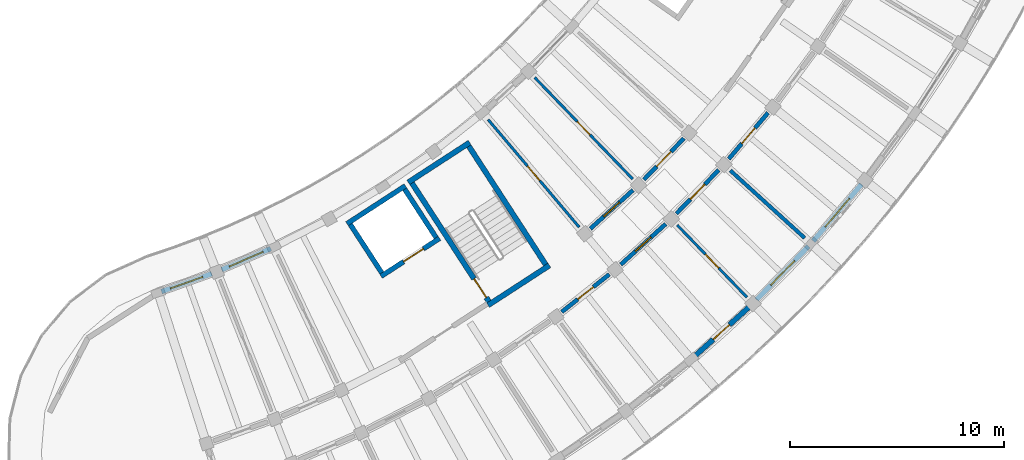
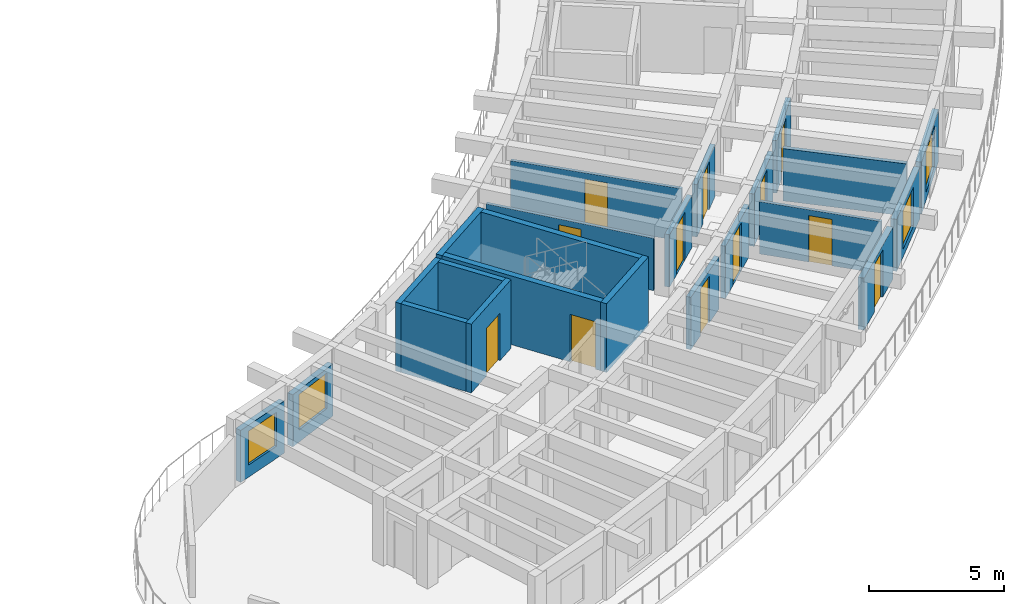
# One storey, part 49 of 78: 23 walls, 12 doors, 4 windows, 16 openings.
"""IFC4 building model written with IfcOpenShell, lengths in metres."""

from ifc_helpers import new_model, si_unit, direction, frame, frame_2d, origin, place, context, subcontext, project, spatial, rectangle, extrude, material, layer, layer_set, type_object, element, fill, save


model = new_model("IFC4")

# Units and contexts
model_context = context("Model", 3, precision=1e-05, world=origin(), true_north=direction((0.0, 1.0)))
body_context = subcontext(model_context, "Body", "Model", "MODEL_VIEW")
ifc_project = project(units=[si_unit("LENGTHUNIT", "METRE"), si_unit("AREAUNIT", "SQUARE_METRE"), si_unit("VOLUMEUNIT", "CUBIC_METRE"), si_unit("PLANEANGLEUNIT", "RADIAN"), si_unit("MASSUNIT", "GRAM", prefix="KILO")], contexts=[model_context])

# Site, building, storey
site_placement = place(None, origin())
site = spatial("IfcSite", under=ifc_project, at=site_placement, CompositionType="ELEMENT")
building_placement = place(site_placement, origin())
building = spatial("IfcBuilding", under=site, at=building_placement, Name="Tanwirah Colonnade Gardens", CompositionType="ELEMENT")
storey_placement = place(building_placement, frame((0.0, 0.0, 22.280029296875)))
storey = spatial("IfcBuildingStorey", under=building, at=storey_placement, Name="L06", CompositionType="ELEMENT", Elevation=22.280029296875)

# Wall, opening, window
ifc_material_1 = material(Name="Limestone architectural precast concrete C40/50", Category="masonry")
ifc_layer_1 = layer(ifc_material_1, 0.239990234375)
ifc_layer_set_1 = layer_set([ifc_layer_1], Name="Limestone architectural precast concrete C40/50")
wall_type_1 = type_object("IfcWallType", Name="EW-PC240", PredefinedType="SOLIDWALL", material=ifc_layer_set_1)
wall_1_placement = place(storey_placement, frame((134.701904296875, 22.2197265625, 0.0), z_axis=(0.0, 0.0, 1.0), x_axis=(0.941892135469, 0.33591547321, 0.0)))
wall_1 = element("IfcWall", 1, at=wall_1_placement, inside=storey, type_object=wall_type_1, Name="Block D L06 IN Precast Facade Wall 1", PredefinedType="SOLIDWALL", context=body_context, shape_type="SweptSolid", body=[
    extrude(rectangle(XDim=2.498779296875, YDim=0.239990234375, at=frame_2d((1.24951171875, 0.0))), origin(), (0.0, 0.0, 1.0), 2.35498046875),
])
opening_1_placement = place(wall_1_placement, frame((0.449462890625, 0.0, 0.550048828125)))
opening_1 = element("IfcOpeningElement", 2, at=opening_1_placement, cuts=wall_1, Name="Opening WIN-U12", PredefinedType="OPENING", context=body_context, shape_type="SweptSolid", body=[
    extrude(rectangle(XDim=1.60009765625, YDim=1.534912109375, at=frame_2d((0.800048828125, 0.767578125))), frame((0.0, 0.1298828125, 0.0), z_axis=(0.0, -1.0, 0.0), x_axis=(1.0, 0.0, 0.0)), (0.0, 0.0, 1.0), 0.260009765625),
])
ifc_material_2 = material(Name="Thermally broken bronze aluminium and solar low-E double glazing", Category="aluminium")
window_type_1 = type_object("IfcWindowType", Name="WIN-U12", PartitioningType="DOUBLE_PANEL_VERTICAL", PredefinedType="WINDOW", material=ifc_material_2)
window_1_placement = place(opening_1_placement, origin())
window_1 = element("IfcWindow", 3, at=window_1_placement, inside=storey, type_object=window_type_1, Name="Facade window D-L06-IN-01", OverallHeight=1.534912109375, OverallWidth=1.60009765625, PartitioningType="SINGLE_PANEL", PredefinedType="WINDOW", context=body_context, shape_type="SweptSolid", body=[
    extrude(rectangle(XDim=1.60009765625, YDim=1.534912109375, at=frame_2d((0.800048828125, 0.767578125))), frame((0.0, 0.030029296875, 0.0), z_axis=(0.0, -1.0, 0.0), x_axis=(1.0, 0.0, 0.0)), (0.0, 0.0, 1.0), 0.06005859375),
])
fill(opening_1, window_1)

wall_2_placement = place(storey_placement, frame((137.5205078125, 23.2421875, 0.0), z_axis=(0.0, 0.0, 1.0), x_axis=(0.91795321239, 0.396688668686, 0.0)))
wall_2 = element("IfcWall", 4, at=wall_2_placement, inside=storey, type_object=wall_type_1, Name="Block D L06 IN Precast Facade Wall 2", PredefinedType="SOLIDWALL", context=body_context, shape_type="SweptSolid", body=[
    extrude(rectangle(XDim=2.498779296875, YDim=0.239990234375, at=frame_2d((1.24951171875, 0.0))), origin(), (0.0, 0.0, 1.0), 2.35498046875),
])
opening_2_placement = place(wall_2_placement, frame((0.389404296875, 0.0, 0.550048828125)))
opening_2 = element("IfcOpeningElement", 5, at=opening_2_placement, cuts=wall_2, Name="Opening WIN-U15", PredefinedType="OPENING", context=body_context, shape_type="SweptSolid", body=[
    extrude(rectangle(XDim=1.719970703125, YDim=1.610107421875, at=frame_2d((0.85986328125, 0.80517578125))), frame((0.0, 0.1298828125, 0.0), z_axis=(0.0, -1.0, 0.0), x_axis=(1.0, 0.0, 0.0)), (0.0, 0.0, 1.0), 0.260009765625),
])
window_type_2 = type_object("IfcWindowType", Name="WIN-U15", PartitioningType="DOUBLE_PANEL_VERTICAL", PredefinedType="WINDOW", material=ifc_material_2)
window_2_placement = place(opening_2_placement, origin())
window_2 = element("IfcWindow", 6, at=window_2_placement, inside=storey, type_object=window_type_2, Name="Facade window D-L06-IN-02", OverallHeight=1.610107421875, OverallWidth=1.719970703125, PartitioningType="SINGLE_PANEL", PredefinedType="WINDOW", context=body_context, shape_type="SweptSolid", body=[
    extrude(rectangle(XDim=1.719970703125, YDim=1.610107421875, at=frame_2d((0.85986328125, 0.80517578125))), frame((0.0, 0.030029296875, 0.0), z_axis=(0.0, -1.0, 0.0), x_axis=(1.0, 0.0, 0.0)), (0.0, 0.0, 1.0), 0.06005859375),
])
fill(opening_2, window_2)

# Wall, opening, door
wall_3_placement = place(storey_placement, frame((159.595458984375, 19.15673828125, 0.0), z_axis=(0.0, 0.0, 1.0), x_axis=(0.741648568445, 0.670788641022, 0.0)))
wall_3 = element("IfcWall", 7, at=wall_3_placement, inside=storey, type_object=wall_type_1, Name="Block D L06 OUT Precast Facade Wall 7", PredefinedType="SOLIDWALL", context=body_context, shape_type="SweptSolid", body=[
    extrude(rectangle(XDim=3.48681640625, YDim=0.239990234375, at=frame_2d((1.743408203125, 0.0))), origin(), (0.0, 0.0, 1.0), 2.35498046875),
])
opening_3_placement = place(wall_3_placement, frame((1.2333984375, 0.0, 0.0)))
opening_3 = element("IfcOpeningElement", 8, at=opening_3_placement, cuts=wall_3, Name="Opening L06-ED205", PredefinedType="OPENING", context=body_context, shape_type="SweptSolid", body=[
    extrude(rectangle(XDim=1.02001953125, YDim=2.139892578125, at=frame_2d((0.510009765625, 1.06982421875))), frame((0.0, 0.1298828125, 0.0), z_axis=(0.0, -1.0, 0.0), x_axis=(1.0, 0.0, 0.0)), (0.0, 0.0, 1.0), 0.260009765625),
])
ifc_material_3 = material(Name="Bronze aluminium glazed balcony door", Category="aluminium")
door_type_1 = type_object("IfcDoorType", Name="ED-BAL102", OperationType="NOTDEFINED", PredefinedType="DOOR", material=ifc_material_3)
door_1_placement = place(opening_3_placement, origin())
door_1 = element("IfcDoor", 9, at=door_1_placement, inside=storey, type_object=door_type_1, Name="Balcony glazed door L06-ED205", OperationType="SINGLE_SWING_RIGHT", OverallHeight=2.139892578125, OverallWidth=1.02001953125, PredefinedType="DOOR", context=body_context, shape_type="SweptSolid", body=[
    extrude(rectangle(XDim=1.02001953125, YDim=2.139892578125, at=frame_2d((0.510009765625, 1.06982421875))), frame((0.0, 0.02490234375, 0.0), z_axis=(0.0, -1.0, 0.0), x_axis=(1.0, 0.0, 0.0)), (0.0, 0.0, 1.0), 0.050048828125),
])
fill(opening_3, door_1)

# Wall, opening, window
wall_4_placement = place(storey_placement, frame((162.541015625, 21.8427734375, 0.0), z_axis=(0.0, 0.0, 1.0), x_axis=(0.696205978342, 0.717842068788, 0.0)))
wall_4 = element("IfcWall", 10, at=wall_4_placement, inside=storey, type_object=wall_type_1, Name="Block D L06 OUT Precast Facade Wall 8", PredefinedType="SOLIDWALL", context=body_context, shape_type="SweptSolid", body=[
    extrude(rectangle(XDim=3.48681640625, YDim=0.239990234375, at=frame_2d((1.743408203125, 0.0))), origin(), (0.0, 0.0, 1.0), 2.35498046875),
])
opening_4_placement = place(wall_4_placement, frame((0.943359375, 0.0, 0.35009765625)))
opening_4 = element("IfcOpeningElement", 11, at=opening_4_placement, cuts=wall_4, Name="Opening WIN-T10", PredefinedType="OPENING", context=body_context, shape_type="SweptSolid", body=[
    extrude(rectangle(XDim=1.60009765625, YDim=1.75, at=frame_2d((0.800048828125, 0.875))), frame((0.0, 0.1298828125, 0.0), z_axis=(0.0, -1.0, 0.0), x_axis=(1.0, 0.0, 0.0)), (0.0, 0.0, 1.0), 0.260009765625),
])
window_type_3 = type_object("IfcWindowType", Name="WIN-T10", PartitioningType="DOUBLE_PANEL_VERTICAL", PredefinedType="WINDOW", material=ifc_material_2)
window_3_placement = place(opening_4_placement, origin())
window_3 = element("IfcWindow", 12, at=window_3_placement, inside=storey, type_object=window_type_3, Name="Facade window D-L06-OUT-08", OverallHeight=1.75, OverallWidth=1.60009765625, PartitioningType="SINGLE_PANEL", PredefinedType="WINDOW", context=body_context, shape_type="SweptSolid", body=[
    extrude(rectangle(XDim=1.60009765625, YDim=1.75, at=frame_2d((0.800048828125, 0.875))), frame((0.0, 0.030029296875, 0.0), z_axis=(0.0, -1.0, 0.0), x_axis=(1.0, 0.0, 0.0)), (0.0, 0.0, 1.0), 0.06005859375),
])
fill(opening_4, window_3)

wall_5_placement = place(storey_placement, frame((165.18359375, 24.58251953125, 0.0), z_axis=(0.0, 0.0, 1.0), x_axis=(0.647811002696, 0.761801092665, 0.0)))
wall_5 = element("IfcWall", 13, at=wall_5_placement, inside=storey, type_object=wall_type_1, Name="Block D L06 OUT Precast Facade Wall 9", PredefinedType="SOLIDWALL", context=body_context, shape_type="SweptSolid", body=[
    extrude(rectangle(XDim=3.48681640625, YDim=0.239990234375, at=frame_2d((1.743408203125, 0.0))), origin(), (0.0, 0.0, 1.0), 2.35498046875),
])
opening_5_placement = place(wall_5_placement, frame((0.868408203125, 0.0, 0.35009765625)))
opening_5 = element("IfcOpeningElement", 14, at=opening_5_placement, cuts=wall_5, Name="Opening WIN-T13", PredefinedType="OPENING", context=body_context, shape_type="SweptSolid", body=[
    extrude(rectangle(XDim=1.75, YDim=1.85009765625, at=frame_2d((0.875, 0.925048828125))), frame((0.0, 0.1298828125, 0.0), z_axis=(0.0, -1.0, 0.0), x_axis=(1.0, 0.0, 0.0)), (0.0, 0.0, 1.0), 0.260009765625),
])
window_type_4 = type_object("IfcWindowType", Name="WIN-T13", PartitioningType="TRIPLE_PANEL_VERTICAL", PredefinedType="WINDOW", material=ifc_material_2)
window_4_placement = place(opening_5_placement, origin())
window_4 = element("IfcWindow", 15, at=window_4_placement, inside=storey, type_object=window_type_4, Name="Facade window D-L06-OUT-09", OverallHeight=1.85009765625, OverallWidth=1.75, PartitioningType="SINGLE_PANEL", PredefinedType="WINDOW", context=body_context, shape_type="SweptSolid", body=[
    extrude(rectangle(XDim=1.75, YDim=1.85009765625, at=frame_2d((0.875, 0.925048828125))), frame((0.0, 0.030029296875, 0.0), z_axis=(0.0, -1.0, 0.0), x_axis=(1.0, 0.0, 0.0)), (0.0, 0.0, 1.0), 0.06005859375),
])
fill(opening_5, window_4)

# Wall, opening, door
ifc_material_4 = material(Name="Precast concrete C40/50", Category="concrete")
ifc_layer_2 = layer(ifc_material_4, 0.195068359375)
ifc_layer_set_2 = layer_set([ifc_layer_2], Name="Precast concrete C40/50")
wall_type_2 = type_object("IfcWallType", Name="IW-CORR195", PredefinedType="PARTITIONING", material=ifc_layer_set_2)
wall_6_placement = place(storey_placement, frame((153.424560546875, 21.268798828125, 0.0), z_axis=(0.0, 0.0, 1.0), x_axis=(0.783965548427, 0.620804332201, 0.0)))
wall_6 = element("IfcWall", 16, at=wall_6_placement, inside=storey, type_object=wall_type_2, Name="Block D L06 OUT Corridor Wall 6", PredefinedType="PARTITIONING", context=body_context, shape_type="SweptSolid", body=[
    extrude(rectangle(XDim=2.8369140625, YDim=0.195068359375, at=frame_2d((1.41845703125, 0.0))), origin(), (0.0, 0.0, 1.0), 2.369873046875),
])
opening_6_placement = place(wall_6_placement, frame((0.95361328125, 0.0, 0.0)))
opening_6 = element("IfcOpeningElement", 17, at=opening_6_placement, cuts=wall_6, Name="Opening L06-AD1879", PredefinedType="OPENING", context=body_context, shape_type="SweptSolid", body=[
    extrude(rectangle(XDim=0.929931640625, YDim=2.1201171875, at=frame_2d((0.46484375, 1.06005859375))), frame((0.0, 0.107421875, 0.0), z_axis=(0.0, -1.0, 0.0), x_axis=(1.0, 0.0, 0.0)), (0.0, 0.0, 1.0), 0.215087890625),
])
ifc_material_5 = material(Name="Solid oak fire-resisting apartment entrance door")
door_type_2 = type_object("IfcDoorType", Name="ID-FLT093", OperationType="NOTDEFINED", PredefinedType="DOOR", material=ifc_material_5)
door_2_placement = place(opening_6_placement, origin())
door_2 = element("IfcDoor", 18, at=door_2_placement, inside=storey, type_object=door_type_2, Name="Apartment corridor door L06-AD1879", OperationType="SINGLE_SWING_LEFT", OverallHeight=2.1201171875, OverallWidth=0.929931640625, PredefinedType="DOOR", context=body_context, shape_type="SweptSolid", body=[
    extrude(rectangle(XDim=0.929931640625, YDim=2.1201171875, at=frame_2d((0.46484375, 1.06005859375))), frame((0.0, 0.02490234375, 0.0), z_axis=(0.0, -1.0, 0.0), x_axis=(1.0, 0.0, 0.0)), (0.0, 0.0, 1.0), 0.050048828125),
])
fill(opening_6, door_2)

wall_7_placement = place(storey_placement, frame((156.1826171875, 23.48193359375, 0.0), z_axis=(0.0, 0.0, 1.0), x_axis=(0.741631592147, 0.670807410163, 0.0)))
wall_7 = element("IfcWall", 19, at=wall_7_placement, inside=storey, type_object=wall_type_2, Name="Block D L06 OUT Corridor Wall 7", PredefinedType="PARTITIONING", context=body_context, shape_type="SweptSolid", body=[
    extrude(rectangle(XDim=2.8369140625, YDim=0.195068359375, at=frame_2d((1.41845703125, 0.0))), origin(), (0.0, 0.0, 1.0), 2.369873046875),
])
opening_7_placement = place(wall_7_placement, frame((0.923583984375, 0.0, 0.0)))
opening_7 = element("IfcOpeningElement", 20, at=opening_7_placement, cuts=wall_7, Name="Opening L06-AD1881", PredefinedType="OPENING", context=body_context, shape_type="SweptSolid", body=[
    extrude(rectangle(XDim=0.989990234375, YDim=2.159912109375, at=frame_2d((0.4951171875, 1.080078125))), frame((0.0, 0.107421875, 0.0), z_axis=(0.0, -1.0, 0.0), x_axis=(1.0, 0.0, 0.0)), (0.0, 0.0, 1.0), 0.215087890625),
])
door_type_3 = type_object("IfcDoorType", Name="ID-FLT099", OperationType="NOTDEFINED", PredefinedType="DOOR", material=ifc_material_5)
door_3_placement = place(opening_7_placement, origin())
door_3 = element("IfcDoor", 21, at=door_3_placement, inside=storey, type_object=door_type_3, Name="Apartment corridor door L06-AD1881", OperationType="SINGLE_SWING_RIGHT", OverallHeight=2.159912109375, OverallWidth=0.989990234375, PredefinedType="DOOR", context=body_context, shape_type="SweptSolid", body=[
    extrude(rectangle(XDim=0.989990234375, YDim=2.159912109375, at=frame_2d((0.4951171875, 1.080078125))), frame((0.0, 0.02490234375, 0.0), z_axis=(0.0, -1.0, 0.0), x_axis=(1.0, 0.0, 0.0)), (0.0, 0.0, 1.0), 0.050048828125),
])
fill(opening_7, door_3)

wall_8_placement = place(storey_placement, frame((154.76123046875, 25.1611328125, 0.0), z_axis=(0.0, 0.0, 1.0), x_axis=(0.74166462946, 0.670770882945, 0.0)))
wall_8 = element("IfcWall", 22, at=wall_8_placement, inside=storey, type_object=wall_type_2, Name="Block D L06 IN Corridor Wall 7", PredefinedType="PARTITIONING", context=body_context, shape_type="SweptSolid", body=[
    extrude(rectangle(XDim=2.693115234375, YDim=0.195068359375, at=frame_2d((1.3466796875, 0.0))), origin(), (0.0, 0.0, 1.0), 2.369873046875),
])
opening_8_placement = place(wall_8_placement, frame((0.8515625, 0.0, 0.0)))
opening_8 = element("IfcOpeningElement", 23, at=opening_8_placement, cuts=wall_8, Name="Opening L06-AD1882", PredefinedType="OPENING", context=body_context, shape_type="SweptSolid", body=[
    extrude(rectangle(XDim=0.989990234375, YDim=2.159912109375, at=frame_2d((0.4951171875, 1.080078125))), frame((0.0, 0.107421875, 0.0), z_axis=(0.0, -1.0, 0.0), x_axis=(1.0, 0.0, 0.0)), (0.0, 0.0, 1.0), 0.215087890625),
])
door_4_placement = place(opening_8_placement, origin())
door_4 = element("IfcDoor", 24, at=door_4_placement, inside=storey, type_object=door_type_3, Name="Apartment corridor door L06-AD1882", OperationType="SINGLE_SWING_LEFT", OverallHeight=2.159912109375, OverallWidth=0.989990234375, PredefinedType="DOOR", context=body_context, shape_type="SweptSolid", body=[
    extrude(rectangle(XDim=0.989990234375, YDim=2.159912109375, at=frame_2d((0.4951171875, 1.080078125))), frame((0.0, 0.02490234375, 0.0), z_axis=(0.0, -1.0, 0.0), x_axis=(1.0, 0.0, 0.0)), (0.0, 0.0, 1.0), 0.050048828125),
])
fill(opening_8, door_4)

wall_9_placement = place(storey_placement, frame((158.7900390625, 25.870849609375, 0.0), z_axis=(0.0, 0.0, 1.0), x_axis=(0.696223786753, 0.717824796701, 0.0)))
wall_9 = element("IfcWall", 25, at=wall_9_placement, inside=storey, type_object=wall_type_2, Name="Block D L06 OUT Corridor Wall 8", PredefinedType="PARTITIONING", context=body_context, shape_type="SweptSolid", body=[
    extrude(rectangle(XDim=2.8369140625, YDim=0.195068359375, at=frame_2d((1.41845703125, 0.0))), origin(), (0.0, 0.0, 1.0), 2.369873046875),
])
opening_9_placement = place(wall_9_placement, frame((0.93359375, 0.0, 0.0)))
opening_9 = element("IfcOpeningElement", 26, at=opening_9_placement, cuts=wall_9, Name="Opening L06-AD1885", PredefinedType="OPENING", context=body_context, shape_type="SweptSolid", body=[
    extrude(rectangle(XDim=0.969970703125, YDim=2.14990234375, at=frame_2d((0.48486328125, 1.074951171875))), frame((0.0, 0.107421875, 0.0), z_axis=(0.0, -1.0, 0.0), x_axis=(1.0, 0.0, 0.0)), (0.0, 0.0, 1.0), 0.215087890625),
])
door_type_4 = type_object("IfcDoorType", Name="ID-FLT097", OperationType="NOTDEFINED", PredefinedType="DOOR", material=ifc_material_5)
door_5_placement = place(opening_9_placement, origin())
door_5 = element("IfcDoor", 27, at=door_5_placement, inside=storey, type_object=door_type_4, Name="Apartment corridor door L06-AD1885", OperationType="SINGLE_SWING_LEFT", OverallHeight=2.14990234375, OverallWidth=0.969970703125, PredefinedType="DOOR", context=body_context, shape_type="SweptSolid", body=[
    extrude(rectangle(XDim=0.969970703125, YDim=2.14990234375, at=frame_2d((0.48486328125, 1.074951171875))), frame((0.0, 0.02490234375, 0.0), z_axis=(0.0, -1.0, 0.0), x_axis=(1.0, 0.0, 0.0)), (0.0, 0.0, 1.0), 0.050048828125),
])
fill(opening_9, door_5)

wall_10_placement = place(storey_placement, frame((157.26171875, 27.453369140625, 0.0), z_axis=(0.0, 0.0, 1.0), x_axis=(0.696236443412, 0.717812520694, 0.0)))
wall_10 = element("IfcWall", 28, at=wall_10_placement, inside=storey, type_object=wall_type_2, Name="Block D L06 IN Corridor Wall 8", PredefinedType="PARTITIONING", context=body_context, shape_type="SweptSolid", body=[
    extrude(rectangle(XDim=2.693115234375, YDim=0.195068359375, at=frame_2d((1.3466796875, 0.0))), origin(), (0.0, 0.0, 1.0), 2.369873046875),
])
opening_10_placement = place(wall_10_placement, frame((0.861572265625, 0.0, 0.0)))
opening_10 = element("IfcOpeningElement", 29, at=opening_10_placement, cuts=wall_10, Name="Opening L06-AD1886", PredefinedType="OPENING", context=body_context, shape_type="SweptSolid", body=[
    extrude(rectangle(XDim=0.969970703125, YDim=2.14990234375, at=frame_2d((0.48486328125, 1.074951171875))), frame((0.0, 0.107421875, 0.0), z_axis=(0.0, -1.0, 0.0), x_axis=(1.0, 0.0, 0.0)), (0.0, 0.0, 1.0), 0.215087890625),
])
door_6_placement = place(opening_10_placement, origin())
door_6 = element("IfcDoor", 30, at=door_6_placement, inside=storey, type_object=door_type_4, Name="Apartment corridor door L06-AD1886", OperationType="SINGLE_SWING_RIGHT", OverallHeight=2.14990234375, OverallWidth=0.969970703125, PredefinedType="DOOR", context=body_context, shape_type="SweptSolid", body=[
    extrude(rectangle(XDim=0.969970703125, YDim=2.14990234375, at=frame_2d((0.48486328125, 1.074951171875))), frame((0.0, 0.02490234375, 0.0), z_axis=(0.0, -1.0, 0.0), x_axis=(1.0, 0.0, 0.0)), (0.0, 0.0, 1.0), 0.050048828125),
])
fill(opening_10, door_6)

wall_11_placement = place(storey_placement, frame((161.235595703125, 28.42529296875, 0.0), z_axis=(0.0, 0.0, 1.0), x_axis=(0.64778830669, 0.761820392032, 0.0)))
wall_11 = element("IfcWall", 31, at=wall_11_placement, inside=storey, type_object=wall_type_2, Name="Block D L06 OUT Corridor Wall 9", PredefinedType="PARTITIONING", context=body_context, shape_type="SweptSolid", body=[
    extrude(rectangle(XDim=2.8369140625, YDim=0.195068359375, at=frame_2d((1.41845703125, 0.0))), origin(), (0.0, 0.0, 1.0), 2.369873046875),
])
opening_11_placement = place(wall_11_placement, frame((0.943603515625, 0.0, 0.0)))
opening_11 = element("IfcOpeningElement", 32, at=opening_11_placement, cuts=wall_11, Name="Opening L06-AD1888", PredefinedType="OPENING", context=body_context, shape_type="SweptSolid", body=[
    extrude(rectangle(XDim=0.949951171875, YDim=2.1298828125, at=frame_2d((0.47509765625, 1.06494140625))), frame((0.0, 0.107421875, 0.0), z_axis=(0.0, -1.0, 0.0), x_axis=(1.0, 0.0, 0.0)), (0.0, 0.0, 1.0), 0.215087890625),
])
door_type_5 = type_object("IfcDoorType", Name="ID-FLT095", OperationType="NOTDEFINED", PredefinedType="DOOR", material=ifc_material_5)
door_7_placement = place(opening_11_placement, origin())
door_7 = element("IfcDoor", 33, at=door_7_placement, inside=storey, type_object=door_type_5, Name="Apartment corridor door L06-AD1888", OperationType="SINGLE_SWING_RIGHT", OverallHeight=2.1298828125, OverallWidth=0.949951171875, PredefinedType="DOOR", context=body_context, shape_type="SweptSolid", body=[
    extrude(rectangle(XDim=0.949951171875, YDim=2.1298828125, at=frame_2d((0.47509765625, 1.06494140625))), frame((0.0, 0.02490234375, 0.0), z_axis=(0.0, -1.0, 0.0), x_axis=(1.0, 0.0, 0.0)), (0.0, 0.0, 1.0), 0.050048828125),
])
fill(opening_11, door_7)

# Wall
ifc_layer_3 = layer(ifc_material_4, 0.175048828125)
ifc_layer_set_3 = layer_set([ifc_layer_3], Name="Precast concrete C40/50")
wall_type_3 = type_object("IfcWallType", Name="IW-DEM175", PredefinedType="PARTITIONING", material=ifc_layer_set_3)
wall_12_placement = place(storey_placement, frame((161.304931640625, 27.8896484375, 0.0), z_axis=(0.0, 0.0, 1.0), x_axis=(0.740212663782, -0.672372822456, 0.0)))
element("IfcWall", 34, at=wall_12_placement, inside=storey, type_object=wall_type_3, Name="Block D L06 Radial Partition 8", PredefinedType="PARTITIONING", context=body_context, shape_type="SweptSolid", body=[
    extrude(rectangle(XDim=4.699951171875, YDim=0.175048828125, at=frame_2d((2.35009765625, 0.0))), origin(), (0.0, 0.0, 1.0), 2.369873046875),
])

# Wall, opening, door
ifc_material_6 = material(Name="Moisture-resistant gypsum stud partition")
ifc_layer_4 = layer(ifc_material_6, 0.125)
ifc_layer_set_4 = layer_set([ifc_layer_4], Name="Moisture-resistant gypsum stud partition")
wall_type_4 = type_object("IfcWallType", Name="IW-INT125", PredefinedType="PARTITIONING", material=ifc_layer_set_4)
wall_13_placement = place(storey_placement, frame((149.978759765625, 30.26904296875, 0.0), z_axis=(0.0, 0.0, 1.0), x_axis=(0.646121311019, -0.763234728932, 0.0)))
wall_13 = element("IfcWall", 35, at=wall_13_placement, inside=storey, type_object=wall_type_4, Name="Block D L06 Inner Radial Partition 6", PredefinedType="PARTITIONING", context=body_context, shape_type="SweptSolid", body=[
    extrude(rectangle(XDim=6.60009765625, YDim=0.125, at=frame_2d((3.300048828125, 0.0))), origin(), (0.0, 0.0, 1.0), 2.369873046875),
])
opening_12_placement = place(wall_13_placement, frame((2.85498046875, 0.0, 0.0)))
opening_12 = element("IfcOpeningElement", 36, at=opening_12_placement, cuts=wall_13, Name="Opening L06-RD1880", PredefinedType="OPENING", context=body_context, shape_type="SweptSolid", body=[
    extrude(rectangle(XDim=0.889892578125, YDim=2.10009765625, at=frame_2d((0.44482421875, 1.050048828125))), frame((0.0, 0.072509765625, 0.0), z_axis=(0.0, -1.0, 0.0), x_axis=(1.0, 0.0, 0.0)), (0.0, 0.0, 1.0), 0.14501953125),
])
ifc_material_7 = material(Name="Painted hardwood bedroom door", Category="wood")
door_type_6 = type_object("IfcDoorType", Name="ID-RM089", OperationType="NOTDEFINED", PredefinedType="DOOR", material=ifc_material_7)
door_8_placement = place(opening_12_placement, origin())
door_8 = element("IfcDoor", 37, at=door_8_placement, inside=storey, type_object=door_type_6, Name="Internal apartment door L06-RD1880", OperationType="SINGLE_SWING_RIGHT", OverallHeight=2.10009765625, OverallWidth=0.889892578125, PredefinedType="DOOR", context=body_context, shape_type="SweptSolid", body=[
    extrude(rectangle(XDim=0.889892578125, YDim=2.10009765625, at=frame_2d((0.44482421875, 1.050048828125))), frame((0.0, 0.02490234375, 0.0), z_axis=(0.0, -1.0, 0.0), x_axis=(1.0, 0.0, 0.0)), (0.0, 0.0, 1.0), 0.050048828125),
])
fill(opening_12, door_8)

wall_14_placement = place(storey_placement, frame((158.82421875, 25.33203125, 0.0), z_axis=(0.0, 0.0, 1.0), x_axis=(0.69466218314, -0.719336118456, 0.0)))
wall_14 = element("IfcWall", 38, at=wall_14_placement, inside=storey, type_object=wall_type_4, Name="Block D L06 Radial Partition 7", PredefinedType="PARTITIONING", context=body_context, shape_type="SweptSolid", body=[
    extrude(rectangle(XDim=4.699951171875, YDim=0.125, at=frame_2d((2.35009765625, 0.0))), origin(), (0.0, 0.0, 1.0), 2.369873046875),
])
opening_13_placement = place(wall_14_placement, frame((1.905029296875, 0.0, 0.0)))
opening_13 = element("IfcOpeningElement", 39, at=opening_13_placement, cuts=wall_14, Name="Opening L06-RD1883", PredefinedType="OPENING", context=body_context, shape_type="SweptSolid", body=[
    extrude(rectangle(XDim=0.889892578125, YDim=2.10009765625, at=frame_2d((0.44482421875, 1.050048828125))), frame((0.0, 0.072509765625, 0.0), z_axis=(0.0, -1.0, 0.0), x_axis=(1.0, 0.0, 0.0)), (0.0, 0.0, 1.0), 0.14501953125),
])
door_9_placement = place(opening_13_placement, origin())
door_9 = element("IfcDoor", 40, at=door_9_placement, inside=storey, type_object=door_type_6, Name="Internal apartment door L06-RD1883", OperationType="SINGLE_SWING_RIGHT", OverallHeight=2.10009765625, OverallWidth=0.889892578125, PredefinedType="DOOR", context=body_context, shape_type="SweptSolid", body=[
    extrude(rectangle(XDim=0.889892578125, YDim=2.10009765625, at=frame_2d((0.44482421875, 1.050048828125))), frame((0.0, 0.02490234375, 0.0), z_axis=(0.0, -1.0, 0.0), x_axis=(1.0, 0.0, 0.0)), (0.0, 0.0, 1.0), 0.050048828125),
])
fill(opening_13, door_9)

wall_15_placement = place(storey_placement, frame((152.155517578125, 32.237548828125, 0.0), z_axis=(0.0, 0.0, 1.0), x_axis=(0.69466250658, -0.71933580611, 0.0)))
wall_15 = element("IfcWall", 41, at=wall_15_placement, inside=storey, type_object=wall_type_4, Name="Block D L06 Inner Radial Partition 7", PredefinedType="PARTITIONING", context=body_context, shape_type="SweptSolid", body=[
    extrude(rectangle(XDim=6.599853515625, YDim=0.125, at=frame_2d((3.2998046875, 0.0))), origin(), (0.0, 0.0, 1.0), 2.369873046875),
])
opening_14_placement = place(wall_15_placement, frame((2.864990234375, 0.0, 0.0)))
opening_14 = element("IfcOpeningElement", 42, at=opening_14_placement, cuts=wall_15, Name="Opening L06-RD1884", PredefinedType="OPENING", context=body_context, shape_type="SweptSolid", body=[
    extrude(rectangle(XDim=0.8701171875, YDim=2.080078125, at=frame_2d((0.43505859375, 1.0400390625))), frame((0.0, 0.072509765625, 0.0), z_axis=(0.0, -1.0, 0.0), x_axis=(1.0, 0.0, 0.0)), (0.0, 0.0, 1.0), 0.14501953125),
])
ifc_material_8 = material(Name="Painted hardwood study door", Category="wood")
door_type_7 = type_object("IfcDoorType", Name="ID-RM087", OperationType="NOTDEFINED", PredefinedType="DOOR", material=ifc_material_8)
door_10_placement = place(opening_14_placement, origin())
door_10 = element("IfcDoor", 43, at=door_10_placement, inside=storey, type_object=door_type_7, Name="Internal apartment door L06-RD1884", OperationType="SINGLE_SWING_LEFT", OverallHeight=2.080078125, OverallWidth=0.8701171875, PredefinedType="DOOR", context=body_context, shape_type="SweptSolid", body=[
    extrude(rectangle(XDim=0.8701171875, YDim=2.080078125, at=frame_2d((0.43505859375, 1.0400390625))), frame((0.0, 0.02490234375, 0.0), z_axis=(0.0, -1.0, 0.0), x_axis=(1.0, 0.0, 0.0)), (0.0, 0.0, 1.0), 0.050048828125),
])
fill(opening_14, door_10)

# Walls
ifc_material_9 = material(Name="Concrete C45/55", Category="concrete")
ifc_layer_5 = layer(ifc_material_9, 0.25)
ifc_layer_set_5 = layer_set([ifc_layer_5], Name="Concrete C45/55")
wall_type_5 = type_object("IfcWallType", Name="SW-CORE250", PredefinedType="SHEAR", material=ifc_layer_set_5)
wall_16_placement = place(storey_placement, frame((152.674072265625, 23.48388671875, 0.0), z_axis=(0.0, 0.0, 1.0), x_axis=(-0.544655453679, 0.838659905312, 0.0)))
element("IfcWall", 44, at=wall_16_placement, inside=storey, type_object=wall_type_5, Name="CORE-D1 L06 Stair Shaft Shear Wall LEFT", PredefinedType="SHEAR", context=body_context, shape_type="SweptSolid", body=[
    extrude(rectangle(XDim=6.60009765625, YDim=0.25, at=frame_2d((3.300048828125, 0.0))), origin(), (0.0, 0.0, 1.0), 3.10986328125),
])
wall_17_placement = place(storey_placement, frame((149.1162109375, 29.19189453125, 0.0), z_axis=(0.0, 0.0, 1.0), x_axis=(-0.838699580527, -0.544594356953, 0.0)))
element("IfcWall", 45, at=wall_17_placement, inside=storey, type_object=wall_type_5, Name="CORE-D1 L06 Stair Shaft Shear Wall FAR", PredefinedType="SHEAR", context=body_context, shape_type="SweptSolid", body=[
    extrude(rectangle(XDim=3.420166015625, YDim=0.25, at=frame_2d((1.7099609375, 0.0))), origin(), (0.0, 0.0, 1.0), 3.10986328125),
])
wall_18_placement = place(storey_placement, frame((152.846923828125, 23.447021484375, 0.0), z_axis=(0.0, 0.0, 1.0), x_axis=(-0.838645798734, -0.544677174357, 0.0)))
element("IfcWall", 46, at=wall_18_placement, inside=storey, type_object=wall_type_5, Name="CORE-D1 L06 Stair Shaft Shear Wall NEAR", PredefinedType="SHEAR", context=body_context, shape_type="SweptSolid", body=[
    extrude(rectangle(XDim=3.419921875, YDim=0.25, at=frame_2d((1.7099609375, 0.0))), origin(), (0.0, 0.0, 1.0), 3.10986328125),
])

# Wall, opening, door
wall_19_placement = place(storey_placement, frame((150.015380859375, 21.75732421875, 0.0), z_axis=(0.0, 0.0, 1.0), x_axis=(-0.544629435258, 0.838676802022, 0.0)))
wall_19 = element("IfcWall", 47, at=wall_19_placement, inside=storey, type_object=wall_type_5, Name="CORE-D1 L06 Stair Shaft Shear Wall RIGHT", PredefinedType="SHEAR", context=body_context, shape_type="SweptSolid", body=[
    extrude(rectangle(XDim=6.599853515625, YDim=0.25, at=frame_2d((3.2998046875, 0.0))), origin(), (0.0, 0.0, 1.0), 3.10986328125),
])
opening_15_placement = place(wall_19_placement, frame((0.219970703125, 0.0, 0.0)))
opening_15 = element("IfcOpeningElement", 48, at=opening_15_placement, cuts=wall_19, Name="Opening L06-SD176", PredefinedType="OPENING", context=body_context, shape_type="SweptSolid", body=[
    extrude(rectangle(XDim=1.050048828125, YDim=2.14990234375, at=frame_2d((0.52490234375, 1.074951171875))), frame((0.0, 0.135009765625, 0.0), z_axis=(0.0, -1.0, 0.0), x_axis=(1.0, 0.0, 0.0)), (0.0, 0.0, 1.0), 0.27001953125),
])
ifc_material_10 = material(Name="Steel fire-resisting stair enclosure door", Category="steel")
door_type_8 = type_object("IfcDoorType", Name="ID-ST105", OperationType="NOTDEFINED", PredefinedType="DOOR", material=ifc_material_10)
door_11_placement = place(opening_15_placement, origin())
door_11 = element("IfcDoor", 49, at=door_11_placement, inside=storey, type_object=door_type_8, Name="CORE-D1 L06 Stair Fire Door L06-SD176", OperationType="SINGLE_SWING_LEFT", OverallHeight=2.14990234375, OverallWidth=1.050048828125, PredefinedType="DOOR", context=body_context, shape_type="SweptSolid", body=[
    extrude(rectangle(XDim=1.050048828125, YDim=2.14990234375, at=frame_2d((0.52490234375, 1.074951171875))), frame((0.0, 0.02490234375, 0.0), z_axis=(0.0, -1.0, 0.0), x_axis=(1.0, 0.0, 0.0)), (0.0, 0.0, 1.0), 0.050048828125),
])
fill(opening_15, door_11)

ifc_layer_6 = layer(ifc_material_9, 0.22998046875)
ifc_layer_set_6 = layer_set([ifc_layer_6], Name="Concrete C45/55")
wall_type_6 = type_object("IfcWallType", Name="SW-LIFT230", PredefinedType="SHEAR", material=ifc_layer_set_6)
wall_20_placement = place(storey_placement, frame((147.70849609375, 24.712646484375, 0.0), z_axis=(0.0, 0.0, 1.0), x_axis=(-0.838672833615, -0.544635546173, 0.0)))
wall_20 = element("IfcWall", 50, at=wall_20_placement, inside=storey, type_object=wall_type_6, Name="CORE-D1 L06 Lift Shaft Wall FRONT", PredefinedType="SHEAR", context=body_context, shape_type="SweptSolid", body=[
    extrude(rectangle(XDim=3.259765625, YDim=0.22998046875, at=frame_2d((1.6298828125, 0.0))), origin(), (0.0, 0.0, 1.0), 3.10986328125),
])
opening_16_placement = place(wall_20_placement, frame((0.89990234375, 0.0, 0.0)))
opening_16 = element("IfcOpeningElement", 51, at=opening_16_placement, cuts=wall_20, Name="Opening L06-LD-FL-D1", PredefinedType="OPENING", context=body_context, shape_type="SweptSolid", body=[
    extrude(rectangle(XDim=1.10009765625, YDim=2.14990234375, at=frame_2d((0.550048828125, 1.074951171875))), frame((0.0, 0.125, 0.0), z_axis=(0.0, -1.0, 0.0), x_axis=(1.0, 0.0, 0.0)), (0.0, 0.0, 1.0), 0.25),
])
ifc_material_11 = material(Name="Stainless steel sliding fire lift landing door", Category="steel")
door_type_9 = type_object("IfcDoorType", Name="LD-FF11", OperationType="DOUBLE_DOOR_SLIDING", PredefinedType="DOOR", material=ifc_material_11)
door_12_placement = place(opening_16_placement, origin())
door_12 = element("IfcDoor", 52, at=door_12_placement, inside=storey, type_object=door_type_9, Name="Lift FL-D1 L06 Sliding Landing Door", OperationType="DOUBLE_DOOR_SLIDING", OverallHeight=2.14990234375, OverallWidth=1.10009765625, PredefinedType="DOOR", context=body_context, shape_type="SweptSolid", body=[
    extrude(rectangle(XDim=1.10009765625, YDim=2.14990234375, at=frame_2d((0.550048828125, 1.074951171875))), frame((0.0, 0.02490234375, 0.0), z_axis=(0.0, -1.0, 0.0), x_axis=(1.0, 0.0, 0.0)), (0.0, 0.0, 1.0), 0.050048828125),
])
fill(opening_16, door_12)

# Walls
wall_21_placement = place(storey_placement, frame((146.11279296875, 27.169921875, 0.0), z_axis=(0.0, 0.0, 1.0), x_axis=(-0.838695047431, -0.544601338058, 0.0)))
element("IfcWall", 53, at=wall_21_placement, inside=storey, type_object=wall_type_6, Name="CORE-D1 L06 Lift Shaft Wall BACK", PredefinedType="SHEAR", context=body_context, shape_type="SweptSolid", body=[
    extrude(rectangle(XDim=3.260009765625, YDim=0.22998046875, at=frame_2d((1.6298828125, 0.0))), origin(), (0.0, 0.0, 1.0), 3.10986328125),
])
for number, where, z_axis, x_axis, name in (
    (54, (147.549560546875, 24.74658203125, 0.0), (0.0, 0.0, 1.0), (-0.544622789439, 0.838681117722, 0.0), "CORE-D1 L06 Lift Shaft Wall SIDEA"),
    (55, (145.00830078125, 23.09619140625, 0.0), (0.0, 0.0, 1.0), (-0.544622789439, 0.838681117722, 0.0), "CORE-D1 L06 Lift Shaft Wall SIDEB"),
):
    element("IfcWall", number, at=place(storey_placement, frame(where, z_axis=z_axis, x_axis=x_axis)), inside=storey, type_object=wall_type_6, Name=name, PredefinedType="SHEAR", context=body_context, shape_type="SweptSolid", body=[
        extrude(rectangle(XDim=2.699951171875, YDim=0.22998046875, at=frame_2d((1.35009765625, 0.0))), origin(), (0.0, 0.0, 1.0), 3.10986328125),
    ])

save(model, "model.ifc")
